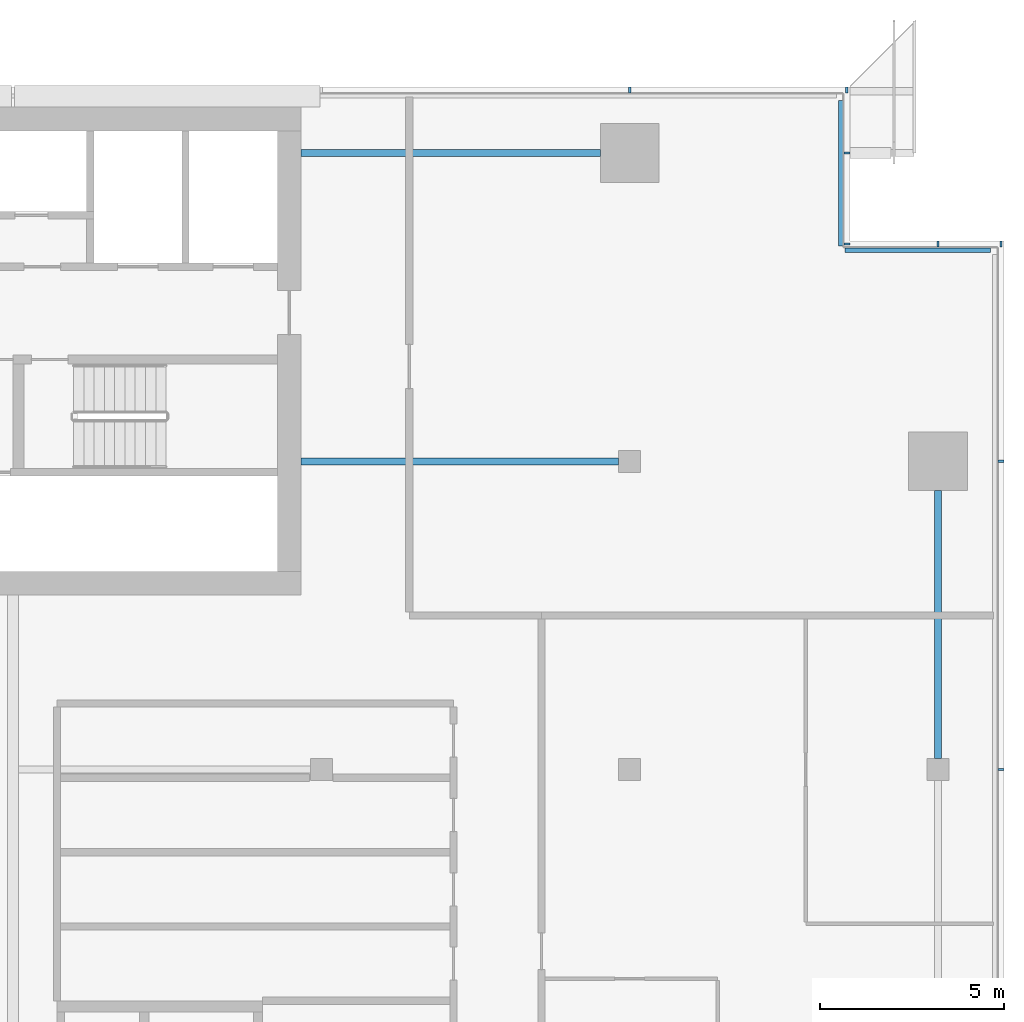
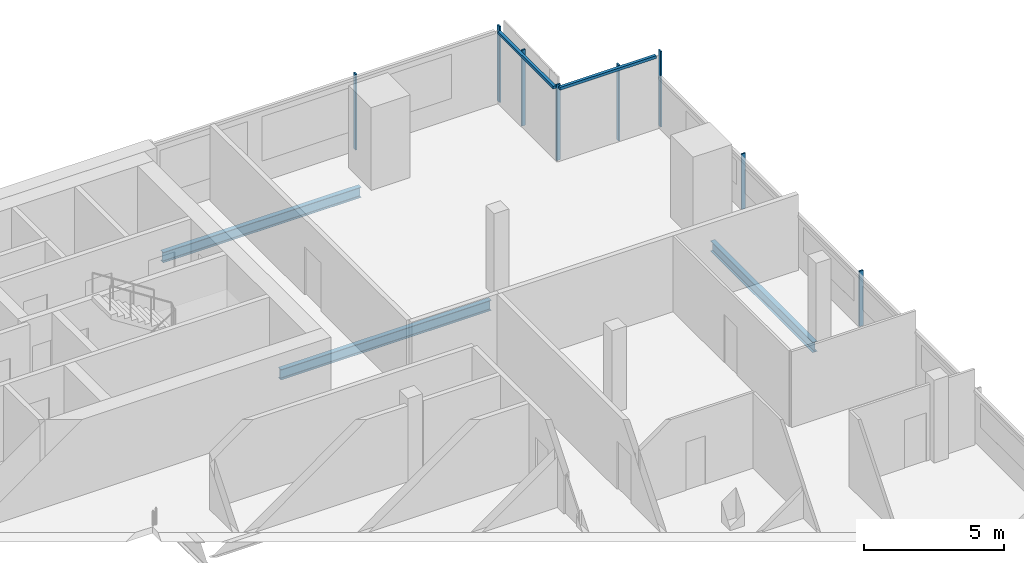
# One storey, part 14 of 25: 10 members, 3 beams, 4 elements without a shape of their own.
"""IFC4 building model written with IfcOpenShell, lengths in metres."""

from ifc_helpers import new_model, si_unit, direction, frame, origin, origin_2d, place, context, subcontext, project, spatial, rectangle, i_section, extrude, material, material_profile, profile_set, type_object, element, aggregate, save


model = new_model("IFC4")

# Units and contexts
model_context = context("Model", 3, precision=1e-05, world=origin(), true_north=direction((0.0, 1.0)))
body_context = subcontext(model_context, "Body", "Model", "MODEL_VIEW")
ifc_project = project(units=[si_unit("LENGTHUNIT", "METRE"), si_unit("AREAUNIT", "SQUARE_METRE"), si_unit("VOLUMEUNIT", "CUBIC_METRE"), si_unit("PLANEANGLEUNIT", "RADIAN"), si_unit("MASSUNIT", "GRAM", prefix="KILO")], contexts=[model_context])

# Site, building, storey
site_placement = place(None, origin())
site = spatial("IfcSite", under=ifc_project, at=site_placement, CompositionType="ELEMENT")
building_placement = place(site_placement, origin())
building = spatial("IfcBuilding", under=site, at=building_placement, Name="Saffron Gate Tower", CompositionType="ELEMENT")
storey_placement = place(building_placement, frame((0.0, 0.0, 248.699951171875)))
storey = spatial("IfcBuildingStorey", under=building, at=storey_placement, Name="L61", CompositionType="ELEMENT", Elevation=248.699951171875)

# Beams
ifc_material_1 = material(Name="Structural steel S355", Category="steel")
ifc_material_profile_1 = material_profile(ifc_material_1, i_section(OverallWidth=0.18994140625, OverallDepth=0.449951171875, WebThickness=0.009521484375, FlangeThickness=0.0146484375, FilletRadius=0.02099609375, at=origin_2d()))
ifc_profile_set_1 = profile_set([ifc_material_profile_1], Name="Structural steel S355")
beam_type_1 = type_object("IfcBeamType", Name="B6 IPE 450", PredefinedType="BEAM", material=ifc_profile_set_1)
beam_1_placement = place(storey_placement, frame((116.699951171875, 65.39990234375, -0.5048828125), z_axis=(-1.0, 0.0, 0.0), x_axis=(0.0, -1.0, 0.0)))
element("IfcBeam", 1, at=beam_1_placement, inside=storey, type_object=beam_type_1, Name="B6 CORE TIE BEAM", PredefinedType="BEAM", context=body_context, shape_type="SweptSolid", body=[
    extrude(i_section(OverallWidth=0.18994140625, OverallDepth=0.449951171875, WebThickness=0.009521484375, FlangeThickness=0.0146484375, FilletRadius=0.02099609375, at=origin_2d()), origin(), (0.0, 0.0, 1.0), 8.64990234375),
])
beam_2_placement = place(storey_placement, frame((116.199951171875, 73.800048828125, -0.5048828125), z_axis=(-1.0, 0.0, 0.0), x_axis=(0.0, -1.0, 0.0)))
element("IfcBeam", 2, at=beam_2_placement, inside=storey, type_object=beam_type_1, Name="B6 CORE TIE BEAM", PredefinedType="BEAM", context=body_context, shape_type="SweptSolid", body=[
    extrude(i_section(OverallWidth=0.18994140625, OverallDepth=0.449951171875, WebThickness=0.009521484375, FlangeThickness=0.0146484375, FilletRadius=0.02099609375, at=origin_2d()), origin(), (0.0, 0.0, 1.0), 8.14990234375),
])
ifc_material_profile_2 = material_profile(ifc_material_1, i_section(OverallWidth=0.18994140625, OverallDepth=0.449951171875, WebThickness=0.009521484375, FlangeThickness=0.0146484375, FilletRadius=0.02099609375, at=origin_2d()))
ifc_profile_set_2 = profile_set([ifc_material_profile_2], Name="Structural steel S355")
beam_type_2 = type_object("IfcBeamType", Name="B7 IPE 450", PredefinedType="SPANDREL", material=ifc_profile_set_2)
beam_3_placement = place(storey_placement, frame((125.39990234375, 57.300048828125, -0.5048828125), z_axis=(0.0, 1.0, 0.0), x_axis=(-1.0, 0.0, 0.0)))
element("IfcBeam", 3, at=beam_3_placement, inside=storey, type_object=beam_type_2, Name="B7 SPANDREL BEAM", PredefinedType="SPANDREL", context=body_context, shape_type="SweptSolid", body=[
    extrude(i_section(OverallWidth=0.18994140625, OverallDepth=0.449951171875, WebThickness=0.009521484375, FlangeThickness=0.0146484375, FilletRadius=0.02099609375, at=origin_2d()), origin(), (0.0, 0.0, 1.0), 7.300048828125),
])

# Curtain wall, members
ifc_material_2 = material(Name="Aluminium, bronze anodised", Category="aluminium")
curtain_wall_type_1 = type_object("IfcCurtainWallType", Name="CWS2 curtain wall side facades", PredefinedType="NOTDEFINED", material=ifc_material_2)
curtain_wall_1_placement = place(storey_placement, origin())
curtain_wall_1 = element("IfcCurtainWall", 4, at=curtain_wall_1_placement, inside=storey, type_object=curtain_wall_type_1, Name="CWS2 run 4", PredefinedType="NOTDEFINED")
ifc_material_profile_3 = material_profile(ifc_material_2, rectangle(XDim=0.159912109375, YDim=0.06005859375, at=origin_2d()))
ifc_profile_set_3 = profile_set([ifc_material_profile_3], Name="Aluminium, bronze anodised")
member_type_1 = type_object("IfcMemberType", Name="CWS2 mullion 60x160", PredefinedType="MULLION", material=ifc_profile_set_3)
member_1_placement = place(storey_placement, frame((127.1201171875, 57.0, 0.0), z_axis=(0.0, 0.0, 1.0), x_axis=(-1.0, 0.0, 0.0)))
member_1 = element("IfcMember", 5, at=member_1_placement, type_object=member_type_1, Name="CWS2 mullion 4", PredefinedType="MULLION", context=body_context, shape_type="SweptSolid", body=[
    extrude(rectangle(XDim=0.159912109375, YDim=0.06005859375, at=origin_2d()), origin(), (0.0, 0.0, 1.0), 2.41015625),
])
member_2_placement = place(storey_placement, frame((127.1201171875, 65.39990234375, 0.0), z_axis=(0.0, 0.0, 1.0), x_axis=(-1.0, 0.0, 0.0)))
member_2 = element("IfcMember", 6, at=member_2_placement, type_object=member_type_1, Name="CWS2 mullion 5", PredefinedType="MULLION", context=body_context, shape_type="SweptSolid", body=[
    extrude(rectangle(XDim=0.159912109375, YDim=0.06005859375, at=origin_2d()), origin(), (0.0, 0.0, 1.0), 2.41015625),
])
aggregate(curtain_wall_1, [member_1, member_2])

curtain_wall_type_2 = type_object("IfcCurtainWallType", Name="CWS3 curtain wall rear facade", PredefinedType="NOTDEFINED", material=ifc_material_2)
curtain_wall_2_placement = place(storey_placement, origin())
curtain_wall_2 = element("IfcCurtainWall", 7, at=curtain_wall_2_placement, inside=storey, type_object=curtain_wall_type_2, Name="CWS3 run 7", PredefinedType="NOTDEFINED")
ifc_material_profile_4 = material_profile(ifc_material_2, rectangle(XDim=0.159912109375, YDim=0.070068359375, at=origin_2d()))
ifc_profile_set_4 = profile_set([ifc_material_profile_4], Name="Aluminium, bronze anodised")
member_type_2 = type_object("IfcMemberType", Name="CWS3 mullion 70x160", PredefinedType="MULLION", material=ifc_profile_set_4)
member_3_placement = place(storey_placement, frame((122.919921875, 75.52001953125, 0.0), z_axis=(0.0, 0.0, 1.0), x_axis=(0.0, -1.0, 0.0)))
member_3 = element("IfcMember", 8, at=member_3_placement, type_object=member_type_2, Name="CWS3 mullion 1", PredefinedType="MULLION", context=body_context, shape_type="SweptSolid", body=[
    extrude(rectangle(XDim=0.159912109375, YDim=0.070068359375, at=origin_2d()), origin(), (0.0, 0.0, 1.0), 3.300048828125),
])
member_4_placement = place(storey_placement, frame((117.0, 75.52001953125, 0.0), z_axis=(0.0, 0.0, 1.0), x_axis=(0.0, -1.0, 0.0)))
member_4 = element("IfcMember", 9, at=member_4_placement, type_object=member_type_2, Name="CWS3 mullion 2", PredefinedType="MULLION", context=body_context, shape_type="SweptSolid", body=[
    extrude(rectangle(XDim=0.159912109375, YDim=0.070068359375, at=origin_2d()), origin(), (0.0, 0.0, 1.0), 3.300048828125),
])
aggregate(curtain_wall_2, [member_3, member_4])

# Curtain wall, member
curtain_wall_type_3 = type_object("IfcCurtainWallType", Name="CWS4 curtain wall corner returns", PredefinedType="NOTDEFINED", material=ifc_material_2)
curtain_wall_3_placement = place(storey_placement, origin())
curtain_wall_3 = element("IfcCurtainWall", 10, at=curtain_wall_3_placement, inside=storey, type_object=curtain_wall_type_3, Name="CWS4 run 5", PredefinedType="NOTDEFINED")
ifc_material_profile_5 = material_profile(ifc_material_2, rectangle(XDim=0.1201171875, YDim=0.1201171875, at=origin_2d()))
ifc_profile_set_5 = profile_set([ifc_material_profile_5], Name="Aluminium, bronze anodised")
member_type_3 = type_object("IfcMemberType", Name="CWS4 head transom", PredefinedType="USERDEFINED", material=ifc_profile_set_5)
member_5_placement = place(storey_placement, frame((126.83203125, 71.152099609375, 3.239990234375), z_axis=(-1.0, 0.0, 0.0), x_axis=(0.0, -1.0, 0.0)))
member_5 = element("IfcMember", 11, at=member_5_placement, type_object=member_type_3, Name="CWS4 head transom", ObjectType="TRANSOM", PredefinedType="USERDEFINED", context=body_context, shape_type="SweptSolid", body=[
    extrude(rectangle(XDim=0.1201171875, YDim=0.1201171875, at=origin_2d()), origin(), (0.0, 0.0, 1.0), 3.9599609375),
])

curtain_wall_4_placement = place(storey_placement, origin())
curtain_wall_4 = element("IfcCurtainWall", 12, at=curtain_wall_4_placement, inside=storey, type_object=curtain_wall_type_3, Name="CWS4 run 6", PredefinedType="NOTDEFINED")
member_6_placement = place(storey_placement, frame((122.751953125, 71.27197265625, 3.239990234375), z_axis=(0.0, 1.0, 0.0), x_axis=(-1.0, 0.0, 0.0)))
member_6 = element("IfcMember", 13, at=member_6_placement, type_object=member_type_3, Name="CWS4 head transom", ObjectType="TRANSOM", PredefinedType="USERDEFINED", context=body_context, shape_type="SweptSolid", body=[
    extrude(rectangle(XDim=0.1201171875, YDim=0.1201171875, at=origin_2d()), origin(), (0.0, 0.0, 1.0), 3.9599609375),
])

# Member
ifc_material_profile_6 = material_profile(ifc_material_2, rectangle(XDim=0.159912109375, YDim=0.06005859375, at=origin_2d()))
ifc_profile_set_6 = profile_set([ifc_material_profile_6], Name="Aluminium, bronze anodised")
member_type_4 = type_object("IfcMemberType", Name="CWS4 mullion 60x160", PredefinedType="MULLION", material=ifc_profile_set_6)
member_7_placement = place(storey_placement, frame((127.1201171875, 71.320068359375, 0.0), z_axis=(0.0, 0.0, 1.0), x_axis=(0.0, -1.0, 0.0)))
member_7 = element("IfcMember", 14, at=member_7_placement, type_object=member_type_4, Name="CWS4 mullion 1", PredefinedType="MULLION", context=body_context, shape_type="SweptSolid", body=[
    extrude(rectangle(XDim=0.159912109375, YDim=0.06005859375, at=origin_2d()), origin(), (0.0, 0.0, 1.0), 3.300048828125),
])

member_8_placement = place(storey_placement, frame((125.39990234375, 71.320068359375, 0.0), z_axis=(0.0, 0.0, 1.0), x_axis=(0.0, -1.0, 0.0)))
member_8 = element("IfcMember", 15, at=member_8_placement, type_object=member_type_4, Name="CWS4 mullion 2", PredefinedType="MULLION", context=body_context, shape_type="SweptSolid", body=[
    extrude(rectangle(XDim=0.159912109375, YDim=0.06005859375, at=origin_2d()), origin(), (0.0, 0.0, 1.0), 3.300048828125),
])

aggregate(curtain_wall_3, [member_7, member_8, member_5])

member_9_placement = place(storey_placement, frame((122.919921875, 71.320068359375, 0.0), z_axis=(0.0, 0.0, 1.0), x_axis=(-1.0, 0.0, 0.0)))
member_9 = element("IfcMember", 16, at=member_9_placement, type_object=member_type_4, Name="CWS4 mullion 1", PredefinedType="MULLION", context=body_context, shape_type="SweptSolid", body=[
    extrude(rectangle(XDim=0.159912109375, YDim=0.06005859375, at=origin_2d()), origin(), (0.0, 0.0, 1.0), 3.300048828125),
])

member_10_placement = place(storey_placement, frame((122.919921875, 73.800048828125, 0.0), z_axis=(0.0, 0.0, 1.0), x_axis=(-1.0, 0.0, 0.0)))
member_10 = element("IfcMember", 17, at=member_10_placement, type_object=member_type_4, Name="CWS4 mullion 2", PredefinedType="MULLION", context=body_context, shape_type="SweptSolid", body=[
    extrude(rectangle(XDim=0.159912109375, YDim=0.06005859375, at=origin_2d()), origin(), (0.0, 0.0, 1.0), 3.300048828125),
])

aggregate(curtain_wall_4, [member_9, member_10, member_6])

save(model, "model.ifc")
